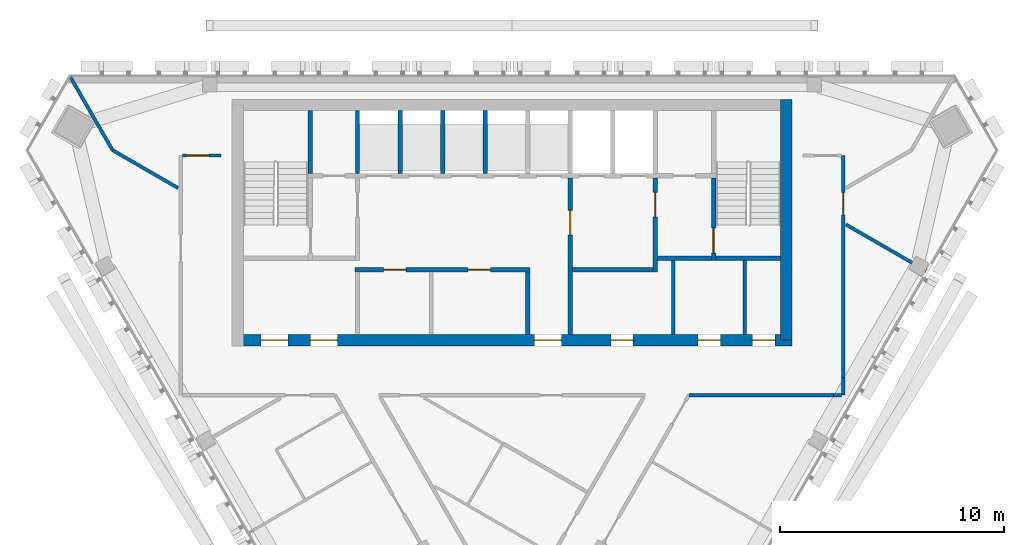
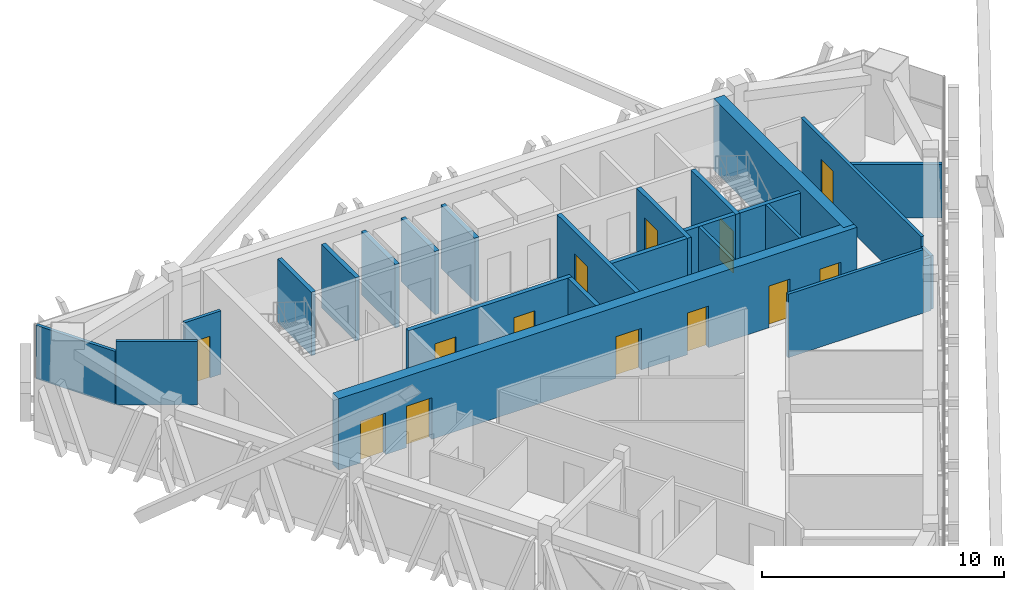
# One storey, part 7 of 12: 25 walls, 13 doors, 13 openings.
"""IFC4 building model written with IfcOpenShell, lengths in metres."""

import ifcopenshell
import ifcopenshell.guid

model = None  # the IFC model being written
_history = None  # IfcOwnerHistory: only IFC2X3 demands one
_inside = {}  # id of a spatial element -> (the spatial element, [elements in it])
_under = {}  # id of a project, library or spatial element -> (it, [spatial elements below it])
_declared = {}  # id of a project -> (the project, [libraries it declares])
_typed = {}  # id of a type object -> (the type object, [elements of that type])
_made_of = {}  # id of a material, layer set ... -> (it, [elements and type objects made of it])


def new_model(schema):
    """Start an empty IFC model of exactly this schema.

    Asked for "IFC4X3", IfcOpenShell would pick the latest addendum, in which some entities
    have other attributes; the version numbers below select the first issue.
    IFC2X3 requires an IfcOwnerHistory on every rooted entity: one is made here for all.
    """
    global model, _history
    if schema == "IFC4X3":
        model = ifcopenshell.file(schema_version=(4, 3, 0, 0))
    else:
        model = ifcopenshell.file(schema=schema)
    _inside.clear()
    _under.clear()
    _declared.clear()
    _typed.clear()
    _made_of.clear()
    _history = None
    if model.schema == "IFC2X3":
        org = make("IfcOrganization", Name="unknown")
        user = make(
            "IfcPersonAndOrganization",
            ThePerson=make("IfcPerson", FamilyName="unknown"),
            TheOrganization=org,
        )
        app = make(
            "IfcApplication",
            ApplicationDeveloper=org,
            Version="unknown",
            ApplicationFullName="unknown",
            ApplicationIdentifier="unknown",
        )
        _history = make(
            "IfcOwnerHistory",
            OwningUser=user,
            OwningApplication=app,
            ChangeAction="ADDED",
            CreationDate=0,
        )
    return model


def make(cls, **values):
    """One entity of the class cls with the attributes given. An attribute that is None is left unset."""
    return model.create_entity(
        cls, **{name: value for name, value in values.items() if value is not None}
    )


def rooted(cls, **values):
    """An entity with a GlobalId (a new one), such as an element, a storey or a relation."""
    return make(cls, GlobalId=ifcopenshell.guid.new(), OwnerHistory=_history, **values)


def si_unit(unit_type, name, prefix=None):
    """IfcSIUnit, for example si_unit("LENGTHUNIT", "METRE", prefix="MILLI")."""
    return make("IfcSIUnit", UnitType=unit_type, Prefix=prefix, Name=name)


def assignment(units):
    """IfcUnitAssignment: the units of a project."""
    return None if units is None else make("IfcUnitAssignment", Units=units)


def point(xyz):
    """IfcCartesianPoint."""
    return None if xyz is None else make("IfcCartesianPoint", Coordinates=xyz)


def direction(xyz):
    """IfcDirection."""
    return None if xyz is None else make("IfcDirection", DirectionRatios=xyz)


def frame(location, z_axis=None, x_axis=None):
    """IfcAxis2Placement3D, a coordinate frame: its origin and axes. An axis left out is left unset."""
    return make(
        "IfcAxis2Placement3D",
        Location=point(location),
        Axis=direction(z_axis),
        RefDirection=direction(x_axis),
    )


def frame_2d(location, x_axis=None):
    """IfcAxis2Placement2D, a coordinate frame in the plane: its origin and x axis."""
    return make(
        "IfcAxis2Placement2D", Location=point(location), RefDirection=direction(x_axis)
    )


def origin():
    """The frame at (0, 0, 0) with its axes left unset."""
    return frame((0.0, 0.0, 0.0))


def place(relative_to, where):
    """IfcLocalPlacement: puts the frame where relative to a parent placement (None: the world)."""
    return make(
        "IfcLocalPlacement", PlacementRelTo=relative_to, RelativePlacement=where
    )


def context(
    kind, dimensions, precision=None, world=None, true_north=None, identifier=None
):
    """IfcGeometricRepresentationContext, for example the 3D "Model" context."""
    return make(
        "IfcGeometricRepresentationContext",
        ContextIdentifier=identifier,
        ContextType=kind,
        CoordinateSpaceDimension=dimensions,
        Precision=precision,
        WorldCoordinateSystem=world,
        TrueNorth=true_north,
    )


def subcontext(parent, identifier, kind, view, scale=None):
    """IfcGeometricRepresentationSubContext, for example "Body" below "Model"."""
    return make(
        "IfcGeometricRepresentationSubContext",
        ContextIdentifier=identifier,
        ContextType=kind,
        ParentContext=parent,
        TargetScale=scale,
        TargetView=view,
    )


def project(units=None, contexts=None):
    """IfcProject with its units and contexts."""
    return rooted(
        "IfcProject",
        Name="project",
        RepresentationContexts=contexts,
        UnitsInContext=assignment(units),
    )


def spatial(cls, under=None, at=None, **own):
    """A site, building, storey or space (cls), placed at a placement, below another one or the project."""
    s = rooted(cls, ObjectPlacement=at, **own)
    if under is not None:
        _under.setdefault(under.id(), (under, []))[1].append(s)
    return s


def profile(cls, at=None, kind="AREA", **sizes):
    """A parametric profile (cls). Its sizes go by their IFC names, for example OverallWidth=200.0."""
    return make(cls, ProfileType=kind, Position=at, **sizes)


def rectangle(**sizes):
    """IfcRectangleProfileDef."""
    return profile("IfcRectangleProfileDef", **sizes)


def extrude(swept, where, along, depth):
    """IfcExtrudedAreaSolid: the profile swept, set in the frame where, extruded along a direction by depth."""
    return make(
        "IfcExtrudedAreaSolid",
        SweptArea=swept,
        Position=where,
        ExtrudedDirection=direction(along),
        Depth=depth,
    )


def shape(context_of_items, identifier, shape_type, items):
    """IfcShapeRepresentation: the items that make up one representation, for example the "Body"."""
    return make(
        "IfcShapeRepresentation",
        ContextOfItems=context_of_items,
        RepresentationIdentifier=identifier,
        RepresentationType=shape_type,
        Items=items,
    )


def material(Name=None, Category=None):
    """IfcMaterial."""
    return make("IfcMaterial", Name=Name, Category=Category)


def layer(
    of_material, thickness, ventilated=None, Name=None, Category=None, Priority=None
):
    """IfcMaterialLayer: one layer of a wall or slab, of a material (None: an air gap)."""
    return make(
        "IfcMaterialLayer",
        Material=of_material,
        LayerThickness=thickness,
        IsVentilated=ventilated,
        Name=Name,
        Category=Category,
        Priority=Priority,
    )


def layer_set(layers, Name=None):
    """IfcMaterialLayerSet."""
    return make("IfcMaterialLayerSet", MaterialLayers=layers, LayerSetName=Name)


def made_of(thing, what):
    """Note that an element or type object is made of a material, layer set ...; save() writes the relation."""
    if what is not None:
        _made_of.setdefault(what.id(), (what, []))[1].append(thing)
    return thing


def type_object(cls, material=None, **own):
    """A type object (cls), such as IfcWallType, which elements share."""
    return made_of(rooted(cls, **own), material)


def element(
    cls,
    number,
    at=None,
    inside=None,
    cuts=None,
    type_object=None,
    material=None,
    context=None,
    identifier="Body",
    shape_type=None,
    held_by="IfcProductDefinitionShape",
    body=None,
    shapes=None,
    **own,
):
    """One element of the class cls, such as IfcWall. Its Tag is "e" and its number.

    at: its placement. inside: the storey or other place that contains it. cuts: it is an
    opening in that element (IfcRelVoidsElement). A single representation is given by context,
    identifier, shape_type and body (its items); several are given by shapes. held_by: the class
    of the entity that holds the representations. save() writes the other relations.
    """
    e = rooted(cls, Tag="e%d" % number, ObjectPlacement=at, **own)
    if body is not None:
        shapes = [shape(context, identifier, shape_type, body)]
    if shapes is not None:
        e.Representation = make(held_by, Representations=shapes)
    if inside is not None:
        _inside.setdefault(inside.id(), (inside, []))[1].append(e)
    if cuts is not None:
        rooted(
            "IfcRelVoidsElement", RelatingBuildingElement=cuts, RelatedOpeningElement=e
        )
    if type_object is not None:
        _typed.setdefault(type_object.id(), (type_object, []))[1].append(e)
    return made_of(e, material)


def fill(opening, filler):
    """IfcRelFillsElement: the door or window that sits in an opening."""
    return rooted(
        "IfcRelFillsElement",
        RelatingOpeningElement=opening,
        RelatedBuildingElement=filler,
    )


def aggregate(whole, parts):
    """IfcRelAggregates: a whole, such as a stair, and the parts it consists of."""
    return rooted("IfcRelAggregates", RelatingObject=whole, RelatedObjects=parts)


def save(model, path):
    """Write the relations noted so far, then the file.

    IfcRelAggregates (storeys below a building ...), IfcRelContainedInSpatialStructure (elements
    in a storey), IfcRelDefinesByType, IfcRelAssociatesMaterial and IfcRelDeclares: one each for
    every whole, place, type object, material and project.
    """
    for whole, parts in _under.values():
        aggregate(whole, parts)
    for where, things in _inside.values():
        rooted(
            "IfcRelContainedInSpatialStructure",
            RelatedElements=things,
            RelatingStructure=where,
        )
    for kind, things in _typed.values():
        rooted("IfcRelDefinesByType", RelatedObjects=things, RelatingType=kind)
    for what, things in _made_of.values():
        rooted("IfcRelAssociatesMaterial", RelatedObjects=things, RelatingMaterial=what)
    for by, libraries in _declared.values():
        rooted("IfcRelDeclares", RelatingContext=by, RelatedDefinitions=libraries)
    model.write(path)


model = new_model("IFC4")

# Units and contexts
model_context = context("Model", 3, precision=1e-05, world=origin(), true_north=direction((0.0, 1.0)))
body_context = subcontext(model_context, "Body", "Model", "MODEL_VIEW")
ifc_project = project(units=[si_unit("LENGTHUNIT", "METRE"), si_unit("AREAUNIT", "SQUARE_METRE"), si_unit("VOLUMEUNIT", "CUBIC_METRE"), si_unit("PLANEANGLEUNIT", "RADIAN"), si_unit("MASSUNIT", "GRAM", prefix="KILO")], contexts=[model_context])

# Site, building, storey
site_placement = place(None, origin())
site = spatial("IfcSite", under=ifc_project, at=site_placement, CompositionType="ELEMENT")
building_placement = place(site_placement, origin())
building = spatial("IfcBuilding", under=site, at=building_placement, Name="Altiplano Prism Tower", CompositionType="ELEMENT")
storey_placement = place(building_placement, frame((0.0, 0.0, 313.0)))
storey = spatial("IfcBuildingStorey", under=building, at=storey_placement, Name="L81", CompositionType="ELEMENT", Elevation=313.0)

# Wall, openings, doors
ifc_material_1 = material(Name="Concrete C60/75", Category="concrete")
ifc_layer_1 = layer(ifc_material_1, 0.5)
ifc_layer_set_1 = layer_set([ifc_layer_1], Name="Concrete C60/75")
wall_type_1 = type_object("IfcWallType", Name="Core wall 500", PredefinedType="SHEAR", material=ifc_layer_set_1)
wall_1_placement = place(storey_placement, frame((72.75, 93.14990234375, 0.0), z_axis=(0.0, 0.0, 1.0), x_axis=(1.0, 0.0, 0.0)))
wall_1 = element("IfcWall", 1, at=wall_1_placement, inside=storey, type_object=wall_type_1, Name="Core wall S L81", PredefinedType="SHEAR", context=body_context, shape_type="SweptSolid", body=[
    extrude(rectangle(XDim=24.75, YDim=0.5, at=frame_2d((12.375, 0.0))), origin(), (0.0, 0.0, 1.0), 3.60009765625),
])
opening_1_placement = place(wall_1_placement, frame((1.050048828125, 0.0, 0.0)))
opening_1 = element("IfcOpeningElement", 2, at=opening_1_placement, cuts=wall_1, Name="Opening D3728", PredefinedType="OPENING", context=body_context, shape_type="SweptSolid", body=[
    extrude(rectangle(XDim=1.199951171875, YDim=2.10009765625, at=frame_2d((0.60009765625, 1.050048828125))), frame((0.0, 0.260498046875, 0.0), z_axis=(0.0, -1.0, 0.0), x_axis=(1.0, 0.0, 0.0)), (0.0, 0.0, 1.0), 0.52099609375),
])
opening_2_placement = place(wall_1_placement, frame((3.25, 0.0, 0.0)))
opening_2 = element("IfcOpeningElement", 3, at=opening_2_placement, cuts=wall_1, Name="Opening D3729", PredefinedType="OPENING", context=body_context, shape_type="SweptSolid", body=[
    extrude(rectangle(XDim=1.199951171875, YDim=2.10009765625, at=frame_2d((0.60009765625, 1.050048828125))), frame((0.0, 0.260498046875, 0.0), z_axis=(0.0, -1.0, 0.0), x_axis=(1.0, 0.0, 0.0)), (0.0, 0.0, 1.0), 0.52099609375),
])
opening_3_placement = place(wall_1_placement, frame((13.25, 0.0, 0.0)))
opening_3 = element("IfcOpeningElement", 4, at=opening_3_placement, cuts=wall_1, Name="Opening D3730", PredefinedType="OPENING", context=body_context, shape_type="SweptSolid", body=[
    extrude(rectangle(XDim=1.199951171875, YDim=2.10009765625, at=frame_2d((0.60009765625, 1.050048828125))), frame((0.0, 0.260498046875, 0.0), z_axis=(0.0, -1.0, 0.0), x_axis=(1.0, 0.0, 0.0)), (0.0, 0.0, 1.0), 0.52099609375),
])
opening_4_placement = place(wall_1_placement, frame((16.66259765625, 0.0, 0.0)))
opening_4 = element("IfcOpeningElement", 5, at=opening_4_placement, cuts=wall_1, Name="Opening D3733", PredefinedType="OPENING", context=body_context, shape_type="SweptSolid", body=[
    extrude(rectangle(XDim=1.0, YDim=2.10009765625, at=frame_2d((0.5, 1.050048828125))), frame((0.0, 0.260498046875, 0.0), z_axis=(0.0, -1.0, 0.0), x_axis=(1.0, 0.0, 0.0)), (0.0, 0.0, 1.0), 0.52099609375),
])
opening_5_placement = place(wall_1_placement, frame((20.550048828125, 0.0, 0.0)))
opening_5 = element("IfcOpeningElement", 6, at=opening_5_placement, cuts=wall_1, Name="Opening D3734", PredefinedType="OPENING", context=body_context, shape_type="SweptSolid", body=[
    extrude(rectangle(XDim=1.0, YDim=2.10009765625, at=frame_2d((0.5, 1.050048828125))), frame((0.0, 0.260498046875, 0.0), z_axis=(0.0, -1.0, 0.0), x_axis=(1.0, 0.0, 0.0)), (0.0, 0.0, 1.0), 0.52099609375),
])
opening_6_placement = place(wall_1_placement, frame((22.987548828125, 0.0, 0.0)))
opening_6 = element("IfcOpeningElement", 7, at=opening_6_placement, cuts=wall_1, Name="Opening D3735", PredefinedType="OPENING", context=body_context, shape_type="SweptSolid", body=[
    extrude(rectangle(XDim=1.0, YDim=2.10009765625, at=frame_2d((0.5, 1.050048828125))), frame((0.0, 0.260498046875, 0.0), z_axis=(0.0, -1.0, 0.0), x_axis=(1.0, 0.0, 0.0)), (0.0, 0.0, 1.0), 0.52099609375),
])
ifc_material_2 = material(Name="Fire-rated steel door", Category="steel")
door_type_1 = type_object("IfcDoorType", Name="Core room door 1000 x 2100", OperationType="NOTDEFINED", PredefinedType="NOTDEFINED", material=ifc_material_2)
door_1_placement = place(opening_4_placement, origin())
door_1 = element("IfcDoor", 8, at=door_1_placement, inside=storey, type_object=door_type_1, Name="Core room door D3733", OperationType="SINGLE_SWING_RIGHT", OverallHeight=2.10009765625, OverallWidth=1.0, PredefinedType="NOTDEFINED", context=body_context, shape_type="SweptSolid", body=[
    extrude(rectangle(XDim=1.0, YDim=2.10009765625, at=frame_2d((0.5, 1.050048828125))), frame((0.0, 0.02490234375, 0.0), z_axis=(0.0, -1.0, 0.0), x_axis=(1.0, 0.0, 0.0)), (0.0, 0.0, 1.0), 0.050048828125),
])
fill(opening_4, door_1)
door_2_placement = place(opening_5_placement, origin())
door_2 = element("IfcDoor", 9, at=door_2_placement, inside=storey, type_object=door_type_1, Name="Core room door D3734", OperationType="SINGLE_SWING_LEFT", OverallHeight=2.10009765625, OverallWidth=1.0, PredefinedType="NOTDEFINED", context=body_context, shape_type="SweptSolid", body=[
    extrude(rectangle(XDim=1.0, YDim=2.10009765625, at=frame_2d((0.5, 1.050048828125))), frame((0.0, 0.02490234375, 0.0), z_axis=(0.0, -1.0, 0.0), x_axis=(1.0, 0.0, 0.0)), (0.0, 0.0, 1.0), 0.050048828125),
])
fill(opening_5, door_2)
door_3_placement = place(opening_6_placement, origin())
door_3 = element("IfcDoor", 10, at=door_3_placement, inside=storey, type_object=door_type_1, Name="Core room door D3735", OperationType="SINGLE_SWING_RIGHT", OverallHeight=2.10009765625, OverallWidth=1.0, PredefinedType="NOTDEFINED", context=body_context, shape_type="SweptSolid", body=[
    extrude(rectangle(XDim=1.0, YDim=2.10009765625, at=frame_2d((0.5, 1.050048828125))), frame((0.0, 0.02490234375, 0.0), z_axis=(0.0, -1.0, 0.0), x_axis=(1.0, 0.0, 0.0)), (0.0, 0.0, 1.0), 0.050048828125),
])
fill(opening_6, door_3)
door_type_2 = type_object("IfcDoorType", Name="Lobby fire door 1200 x 2100", OperationType="NOTDEFINED", PredefinedType="NOTDEFINED", material=ifc_material_2)
door_4_placement = place(opening_1_placement, origin())
door_4 = element("IfcDoor", 11, at=door_4_placement, inside=storey, type_object=door_type_2, Name="Lobby fire door D3728", OperationType="SINGLE_SWING_RIGHT", OverallHeight=2.10009765625, OverallWidth=1.199951171875, PredefinedType="NOTDEFINED", context=body_context, shape_type="SweptSolid", body=[
    extrude(rectangle(XDim=1.199951171875, YDim=2.10009765625, at=frame_2d((0.60009765625, 1.050048828125))), frame((0.0, 0.02490234375, 0.0), z_axis=(0.0, -1.0, 0.0), x_axis=(1.0, 0.0, 0.0)), (0.0, 0.0, 1.0), 0.050048828125),
])
fill(opening_1, door_4)
door_5_placement = place(opening_2_placement, origin())
door_5 = element("IfcDoor", 12, at=door_5_placement, inside=storey, type_object=door_type_2, Name="Lobby fire door D3729", OperationType="SINGLE_SWING_LEFT", OverallHeight=2.10009765625, OverallWidth=1.199951171875, PredefinedType="NOTDEFINED", context=body_context, shape_type="SweptSolid", body=[
    extrude(rectangle(XDim=1.199951171875, YDim=2.10009765625, at=frame_2d((0.60009765625, 1.050048828125))), frame((0.0, 0.02490234375, 0.0), z_axis=(0.0, -1.0, 0.0), x_axis=(1.0, 0.0, 0.0)), (0.0, 0.0, 1.0), 0.050048828125),
])
fill(opening_2, door_5)
door_6_placement = place(opening_3_placement, origin())
door_6 = element("IfcDoor", 13, at=door_6_placement, inside=storey, type_object=door_type_2, Name="Lobby fire door D3730", OperationType="SINGLE_SWING_RIGHT", OverallHeight=2.10009765625, OverallWidth=1.199951171875, PredefinedType="NOTDEFINED", context=body_context, shape_type="SweptSolid", body=[
    extrude(rectangle(XDim=1.199951171875, YDim=2.10009765625, at=frame_2d((0.60009765625, 1.050048828125))), frame((0.0, 0.02490234375, 0.0), z_axis=(0.0, -1.0, 0.0), x_axis=(1.0, 0.0, 0.0)), (0.0, 0.0, 1.0), 0.050048828125),
])
fill(opening_3, door_6)

# Walls
wall_2_placement = place(storey_placement, frame((97.25, 93.14990234375, 0.0), z_axis=(0.0, 0.0, 1.0), x_axis=(0.0, 1.0, 0.0)))
element("IfcWall", 14, at=wall_2_placement, inside=storey, type_object=wall_type_1, Name="Core wall E L81", PredefinedType="SHEAR", context=body_context, shape_type="SweptSolid", body=[
    extrude(rectangle(XDim=10.75, YDim=0.5, at=frame_2d((5.375, 0.0))), origin(), (0.0, 0.0, 1.0), 3.60009765625),
])
ifc_material_3 = material(Name="Plasterboard on steel stud", Category="steel")
ifc_layer_2 = layer(ifc_material_3, 0.14990234375)
ifc_layer_set_2 = layer_set([ifc_layer_2], Name="Plasterboard on steel stud")
wall_type_2 = type_object("IfcWallType", Name="Partition 150 corridor", PredefinedType="PARTITIONING", material=ifc_layer_set_2)
wall_3_placement = place(storey_placement, frame((92.90185546875, 90.699951171875, 0.0), z_axis=(0.0, 0.0, 1.0), x_axis=(1.0, 0.0, 0.0)))
element("IfcWall", 15, at=wall_3_placement, inside=storey, type_object=wall_type_2, Name="Partition P06 L81 010", PredefinedType="PARTITIONING", context=body_context, shape_type="SweptSolid", body=[
    extrude(rectangle(XDim=6.45654296875, YDim=0.14990234375, at=frame_2d((3.228271484375, 0.0))), origin(), (0.0, 0.0, 1.0), 3.199951171875),
])
wall_4_placement = place(storey_placement, frame((99.3583984375, 90.699951171875, 0.0), z_axis=(0.0, 0.0, 1.0), x_axis=(1.0, 0.0, 0.0)))
element("IfcWall", 16, at=wall_4_placement, inside=storey, type_object=wall_type_2, Name="Partition P06 L81 011", PredefinedType="PARTITIONING", context=body_context, shape_type="SweptSolid", body=[
    extrude(rectangle(XDim=0.36669921875, YDim=0.14990234375, at=frame_2d((0.183349609375, 0.0))), origin(), (0.0, 0.0, 1.0), 2.699951171875),
])
wall_5_placement = place(storey_placement, frame((99.800048828125, 90.699951171875, 0.0), z_axis=(0.0, 0.0, 1.0), x_axis=(0.0, 1.0, 0.0)))
element("IfcWall", 17, at=wall_5_placement, inside=storey, type_object=wall_type_2, Name="Partition P06 L81 012", PredefinedType="PARTITIONING", context=body_context, shape_type="SweptSolid", body=[
    extrude(rectangle(XDim=0.76513671875, YDim=0.14990234375, at=frame_2d((0.382568359375, 0.0))), origin(), (0.0, 0.0, 1.0), 2.699951171875),
])

# Wall, opening, door
wall_6_placement = place(storey_placement, frame((99.800048828125, 91.465087890625, 0.0), z_axis=(0.0, 0.0, 1.0), x_axis=(4.9143671e-05, 0.999999998792, 0.0)))
wall_6 = element("IfcWall", 18, at=wall_6_placement, inside=storey, type_object=wall_type_2, Name="Partition P06 L81 013", PredefinedType="PARTITIONING", context=body_context, shape_type="SweptSolid", body=[
    extrude(rectangle(XDim=9.935791015625, YDim=0.14990234375, at=frame_2d((4.9677734375, 0.0))), origin(), (0.0, 0.0, 1.0), 3.199951171875),
])
opening_7_placement = place(wall_6_placement, frame((7.278076171875, 0.0, 0.0)))
opening_7 = element("IfcOpeningElement", 19, at=opening_7_placement, cuts=wall_6, Name="Opening D2405", PredefinedType="OPENING", context=body_context, shape_type="SweptSolid", body=[
    extrude(rectangle(XDim=1.0, YDim=2.10009765625, at=frame_2d((0.5, 1.050048828125))), frame((0.0, 0.08544921875, 0.0), z_axis=(0.0, -1.0, 0.0), x_axis=(1.0, 0.0, 0.0)), (0.0, 0.0, 1.0), 0.1708984375),
])
ifc_material_4 = material(Name="Timber", Category="wood")
door_type_3 = type_object("IfcDoorType", Name="Room door 1000 x 2100", OperationType="NOTDEFINED", PredefinedType="NOTDEFINED", material=ifc_material_4)
door_7_placement = place(opening_7_placement, origin())
door_7 = element("IfcDoor", 20, at=door_7_placement, inside=storey, type_object=door_type_3, Name="Door D2405", OperationType="SINGLE_SWING_LEFT", OverallHeight=2.10009765625, OverallWidth=1.0, PredefinedType="NOTDEFINED", context=body_context, shape_type="SweptSolid", body=[
    extrude(rectangle(XDim=1.0, YDim=2.10009765625, at=frame_2d((0.5, 1.050048828125))), frame((0.0, 0.02490234375, 0.0), z_axis=(0.0, -1.0, 0.0), x_axis=(1.0, 0.0, 0.0)), (0.0, 0.0, 1.0), 0.050048828125),
])
fill(opening_7, door_7)

wall_7_placement = place(storey_placement, frame((72.0, 101.40087890625, 0.0), z_axis=(0.0, 0.0, 1.0), x_axis=(-1.0, 0.0, 0.0)))
wall_7 = element("IfcWall", 21, at=wall_7_placement, inside=storey, type_object=wall_type_2, Name="Partition P06 L81 015", PredefinedType="PARTITIONING", context=body_context, shape_type="SweptSolid", body=[
    extrude(rectangle(XDim=1.7255859375, YDim=0.14990234375, at=frame_2d((0.86279296875, 0.0))), origin(), (0.0, 0.0, 1.0), 3.199951171875),
])
opening_8_placement = place(wall_7_placement, frame((0.52587890625, 0.0, 0.0)))
opening_8 = element("IfcOpeningElement", 22, at=opening_8_placement, cuts=wall_7, Name="Opening D2407", PredefinedType="OPENING", context=body_context, shape_type="SweptSolid", body=[
    extrude(rectangle(XDim=1.0, YDim=2.10009765625, at=frame_2d((0.5, 1.050048828125))), frame((0.0, 0.08544921875, 0.0), z_axis=(0.0, -1.0, 0.0), x_axis=(1.0, 0.0, 0.0)), (0.0, 0.0, 1.0), 0.1708984375),
])
door_type_4 = type_object("IfcDoorType", Name="Store door 1000 x 2100", OperationType="NOTDEFINED", PredefinedType="NOTDEFINED", material=ifc_material_4)
door_8_placement = place(opening_8_placement, origin())
door_8 = element("IfcDoor", 23, at=door_8_placement, inside=storey, type_object=door_type_4, Name="Door D2407", OperationType="SINGLE_SWING_LEFT", OverallHeight=2.10009765625, OverallWidth=1.0, PredefinedType="NOTDEFINED", context=body_context, shape_type="SweptSolid", body=[
    extrude(rectangle(XDim=1.0, YDim=2.10009765625, at=frame_2d((0.5, 1.050048828125))), frame((0.0, 0.02490234375, 0.0), z_axis=(0.0, -1.0, 0.0), x_axis=(1.0, 0.0, 0.0)), (0.0, 0.0, 1.0), 0.050048828125),
])
fill(opening_8, door_8)

# Walls
ifc_layer_3 = layer(ifc_material_3, 0.14990234375)
ifc_layer_set_3 = layer_set([ifc_layer_3], Name="Plasterboard on steel stud")
wall_type_3 = type_object("IfcWallType", Name="Partition 150 party", PredefinedType="PARTITIONING", material=ifc_layer_set_3)
wall_8_placement = place(storey_placement, frame((70.0869140625, 99.94775390625, 0.0), z_axis=(0.0, 0.0, 1.0), x_axis=(-0.866026575979, 0.499997969693, 0.0)))
element("IfcWall", 24, at=wall_8_placement, inside=storey, type_object=wall_type_3, Name="Partition P01 L81 021", PredefinedType="PARTITIONING", context=body_context, shape_type="SweptSolid", body=[
    extrude(rectangle(XDim=3.375, YDim=0.14990234375, at=frame_2d((1.6875, 0.0))), origin(), (0.0, 0.0, 1.0), 3.199951171875),
])
wall_9_placement = place(storey_placement, frame((67.1640625, 101.63525390625, 0.0), z_axis=(0.0, 0.0, 1.0), x_axis=(-0.499984077514, 0.866034596441, 0.0)))
element("IfcWall", 25, at=wall_9_placement, inside=storey, type_object=wall_type_3, Name="Partition P01 L81 022", PredefinedType="PARTITIONING", context=body_context, shape_type="SweptSolid", body=[
    extrude(rectangle(XDim=3.76953125, YDim=0.14990234375, at=frame_2d((1.884765625, 0.0))), origin(), (0.0, 0.0, 1.0), 2.699951171875),
])
wall_10_placement = place(storey_placement, frame((103.4951171875, 96.248046875, 0.0), z_axis=(0.0, 0.0, 1.0), x_axis=(-0.866037172765, 0.499979614973, 0.0)))
element("IfcWall", 26, at=wall_10_placement, inside=storey, type_object=wall_type_3, Name="Partition P01 L81 034", PredefinedType="PARTITIONING", context=body_context, shape_type="SweptSolid", body=[
    extrude(rectangle(XDim=4.136474609375, YDim=0.14990234375, at=frame_2d((2.068359375, 0.0))), origin(), (0.0, 0.0, 1.0), 2.699951171875),
])
ifc_material_5 = material(Name="Fire-rated gypsum board partition")
ifc_layer_4 = layer(ifc_material_5, 0.14990234375)
ifc_layer_set_4 = layer_set([ifc_layer_4], Name="Fire-rated gypsum board partition")
wall_type_4 = type_object("IfcWallType", Name="Room partition 150", PredefinedType="PARTITIONING", material=ifc_layer_set_4)
for number, where, z_axis, x_axis, name in (
    (27, (92.199951171875, 93.39990234375, 0.0), (0.0, 0.0, 1.0), (0.0, 1.0, 0.0), "Room partition L81"),
    (28, (95.39990234375, 93.39990234375, 0.0), (0.0, 0.0, 1.0), (0.0, 1.0, 0.0), "Room partition L81"),
):
    element("IfcWall", number, at=place(storey_placement, frame(where, z_axis=z_axis, x_axis=x_axis)), inside=storey, type_object=wall_type_4, Name=name, PredefinedType="PARTITIONING", context=body_context, shape_type="SweptSolid", body=[
        extrude(rectangle(XDim=3.300048828125, YDim=0.14990234375, at=frame_2d((1.64990234375, 0.0))), origin(), (0.0, 0.0, 1.0), 3.199951171875),
    ])
ifc_layer_5 = layer(ifc_material_1, 0.199951171875)
ifc_layer_set_5 = layer_set([ifc_layer_5], Name="Concrete C60/75")
wall_type_5 = type_object("IfcWallType", Name="Shaft wall 200", PredefinedType="SOLIDWALL", material=ifc_layer_set_5)
for number, where, z_axis, x_axis, name in (
    (29, (78.10009765625, 100.60009765625, 0.0), (0.0, 0.0, 1.0), (0.0, 1.0, 0.0), "Shaft wall L81"),
    (30, (80.0, 100.60009765625, 0.0), (0.0, 0.0, 1.0), (0.0, 1.0, 0.0), "Shaft wall L81"),
    (31, (81.89990234375, 100.60009765625, 0.0), (0.0, 0.0, 1.0), (0.0, 1.0, 0.0), "Shaft wall L81"),
    (32, (83.800048828125, 100.60009765625, 0.0), (0.0, 0.0, 1.0), (0.0, 1.0, 0.0), "Shaft wall L81"),
):
    element("IfcWall", number, at=place(storey_placement, frame(where, z_axis=z_axis, x_axis=x_axis)), inside=storey, type_object=wall_type_5, Name=name, PredefinedType="SOLIDWALL", context=body_context, shape_type="SweptSolid", body=[
        extrude(rectangle(XDim=2.7998046875, YDim=0.199951171875, at=frame_2d((1.39990234375, 0.0))), origin(), (0.0, 0.0, 1.0), 3.199951171875),
    ])

# Wall, opening, door
ifc_layer_6 = layer(ifc_material_1, 0.199951171875)
ifc_layer_set_6 = layer_set([ifc_layer_6], Name="Concrete C60/75")
wall_type_6 = type_object("IfcWallType", Name="Stair wall 200", PredefinedType="SOLIDWALL", material=ifc_layer_set_6)
wall_11_placement = place(storey_placement, frame((94.0, 96.699951171875, 0.0), z_axis=(0.0, 0.0, 1.0), x_axis=(0.0, 1.0, 0.0)))
wall_11 = element("IfcWall", 33, at=wall_11_placement, inside=storey, type_object=wall_type_6, Name="Stair wall L81", PredefinedType="SOLIDWALL", context=body_context, shape_type="SweptSolid", body=[
    extrude(rectangle(XDim=3.699951171875, YDim=0.199951171875, at=frame_2d((1.85009765625, 0.0))), origin(), (0.0, 0.0, 1.0), 3.199951171875),
])
opening_9_placement = place(wall_11_placement, frame((0.35009765625, 0.0, 0.0)))
opening_9 = element("IfcOpeningElement", 34, at=opening_9_placement, cuts=wall_11, Name="Opening D3724", PredefinedType="OPENING", context=body_context, shape_type="SweptSolid", body=[
    extrude(rectangle(XDim=1.10009765625, YDim=2.10009765625, at=frame_2d((0.550048828125, 1.050048828125))), frame((0.0, 0.1103515625, 0.0), z_axis=(0.0, -1.0, 0.0), x_axis=(1.0, 0.0, 0.0)), (0.0, 0.0, 1.0), 0.220947265625),
])
door_type_5 = type_object("IfcDoorType", Name="Stair fire door 1100 x 2100", OperationType="NOTDEFINED", PredefinedType="NOTDEFINED", material=ifc_material_2)
door_9_placement = place(opening_9_placement, origin())
door_9 = element("IfcDoor", 35, at=door_9_placement, inside=storey, type_object=door_type_5, Name="Stair fire door D3724", OperationType="SINGLE_SWING_LEFT", OverallHeight=2.10009765625, OverallWidth=1.10009765625, PredefinedType="NOTDEFINED", context=body_context, shape_type="SweptSolid", body=[
    extrude(rectangle(XDim=1.10009765625, YDim=2.10009765625, at=frame_2d((0.550048828125, 1.050048828125))), frame((0.0, 0.02490234375, 0.0), z_axis=(0.0, -1.0, 0.0), x_axis=(1.0, 0.0, 0.0)), (0.0, 0.0, 1.0), 0.050048828125),
])
fill(opening_9, door_9)

# Walls
wall_12_placement = place(storey_placement, frame((94.10009765625, 96.800048828125, 0.0), z_axis=(0.0, 0.0, 1.0), x_axis=(1.0, 0.0, 0.0)))
element("IfcWall", 36, at=wall_12_placement, inside=storey, type_object=wall_type_6, Name="Stair wall L81", PredefinedType="SOLIDWALL", context=body_context, shape_type="SweptSolid", body=[
    extrude(rectangle(XDim=2.89990234375, YDim=0.199951171875, at=frame_2d((1.449951171875, 0.0))), origin(), (0.0, 0.0, 1.0), 3.199951171875),
])
wall_13_placement = place(storey_placement, frame((76.0, 100.60009765625, 0.0), z_axis=(0.0, 0.0, 1.0), x_axis=(0.0, 1.0, 0.0)))
element("IfcWall", 37, at=wall_13_placement, inside=storey, type_object=wall_type_6, Name="Stair wall L81", PredefinedType="SOLIDWALL", context=body_context, shape_type="SweptSolid", body=[
    extrude(rectangle(XDim=2.7998046875, YDim=0.199951171875, at=frame_2d((1.39990234375, 0.0))), origin(), (0.0, 0.0, 1.0), 3.199951171875),
])
ifc_layer_7 = layer(ifc_material_1, 0.199951171875)
ifc_layer_set_7 = layer_set([ifc_layer_7], Name="Concrete C60/75")
wall_type_7 = type_object("IfcWallType", Name="Vestibule wall 200", PredefinedType="PARTITIONING", material=ifc_layer_set_7)
wall_14_placement = place(storey_placement, frame((85.699951171875, 93.39990234375, 0.0), z_axis=(0.0, 0.0, 1.0), x_axis=(0.0, 1.0, 0.0)))
element("IfcWall", 38, at=wall_14_placement, inside=storey, type_object=wall_type_7, Name="Vestibule wall L81", PredefinedType="PARTITIONING", context=body_context, shape_type="SweptSolid", body=[
    extrude(rectangle(XDim=2.800048828125, YDim=0.199951171875, at=frame_2d((1.39990234375, 0.0))), origin(), (0.0, 0.0, 1.0), 3.199951171875),
])

# Wall, opening, door
wall_15_placement = place(storey_placement, frame((87.60009765625, 93.39990234375, 0.0), z_axis=(0.0, 0.0, 1.0), x_axis=(0.0, 1.0, 0.0)))
wall_15 = element("IfcWall", 39, at=wall_15_placement, inside=storey, type_object=wall_type_7, Name="Vestibule wall L81", PredefinedType="PARTITIONING", context=body_context, shape_type="SweptSolid", body=[
    extrude(rectangle(XDim=7.0, YDim=0.199951171875, at=frame_2d((3.5, 0.0))), origin(), (0.0, 0.0, 1.0), 3.199951171875),
])
opening_10_placement = place(wall_15_placement, frame((4.449951171875, 0.0, 0.0)))
opening_10 = element("IfcOpeningElement", 40, at=opening_10_placement, cuts=wall_15, Name="Opening D3726", PredefinedType="OPENING", context=body_context, shape_type="SweptSolid", body=[
    extrude(rectangle(XDim=1.10009765625, YDim=2.10009765625, at=frame_2d((0.550048828125, 1.050048828125))), frame((0.0, 0.1103515625, 0.0), z_axis=(0.0, -1.0, 0.0), x_axis=(1.0, 0.0, 0.0)), (0.0, 0.0, 1.0), 0.220947265625),
])
door_type_6 = type_object("IfcDoorType", Name="Vestibule fire door 1100 x 2100", OperationType="NOTDEFINED", PredefinedType="NOTDEFINED", material=ifc_material_2)
door_10_placement = place(opening_10_placement, origin())
door_10 = element("IfcDoor", 41, at=door_10_placement, inside=storey, type_object=door_type_6, Name="Vestibule fire door D3726", OperationType="SINGLE_SWING_RIGHT", OverallHeight=2.10009765625, OverallWidth=1.10009765625, PredefinedType="NOTDEFINED", context=body_context, shape_type="SweptSolid", body=[
    extrude(rectangle(XDim=1.10009765625, YDim=2.10009765625, at=frame_2d((0.550048828125, 1.050048828125))), frame((0.0, 0.02490234375, 0.0), z_axis=(0.0, -1.0, 0.0), x_axis=(1.0, 0.0, 0.0)), (0.0, 0.0, 1.0), 0.050048828125),
])
fill(opening_10, door_10)

# Wall, openings, doors
wall_16_placement = place(storey_placement, frame((78.0, 96.300048828125, 0.0), z_axis=(0.0, 0.0, 1.0), x_axis=(1.0, 0.0, 0.0)))
wall_16 = element("IfcWall", 42, at=wall_16_placement, inside=storey, type_object=wall_type_7, Name="Vestibule wall L81", PredefinedType="PARTITIONING", context=body_context, shape_type="SweptSolid", body=[
    extrude(rectangle(XDim=7.800048828125, YDim=0.199951171875, at=frame_2d((3.89990234375, 0.0))), origin(), (0.0, 0.0, 1.0), 3.199951171875),
])
opening_11_placement = place(wall_16_placement, frame((1.262451171875, 0.0, 0.0)))
opening_11 = element("IfcOpeningElement", 43, at=opening_11_placement, cuts=wall_16, Name="Opening D3736", PredefinedType="OPENING", context=body_context, shape_type="SweptSolid", body=[
    extrude(rectangle(XDim=1.0, YDim=2.10009765625, at=frame_2d((0.5, 1.050048828125))), frame((0.0, 0.1103515625, 0.0), z_axis=(0.0, -1.0, 0.0), x_axis=(1.0, 0.0, 0.0)), (0.0, 0.0, 1.0), 0.220947265625),
])
opening_12_placement = place(wall_16_placement, frame((5.03759765625, 0.0, 0.0)))
opening_12 = element("IfcOpeningElement", 44, at=opening_12_placement, cuts=wall_16, Name="Opening D3737", PredefinedType="OPENING", context=body_context, shape_type="SweptSolid", body=[
    extrude(rectangle(XDim=1.0, YDim=2.10009765625, at=frame_2d((0.5, 1.050048828125))), frame((0.0, 0.1103515625, 0.0), z_axis=(0.0, -1.0, 0.0), x_axis=(1.0, 0.0, 0.0)), (0.0, 0.0, 1.0), 0.220947265625),
])
door_11_placement = place(opening_11_placement, origin())
door_11 = element("IfcDoor", 45, at=door_11_placement, inside=storey, type_object=door_type_1, Name="Core room door D3736", OperationType="SINGLE_SWING_RIGHT", OverallHeight=2.10009765625, OverallWidth=1.0, PredefinedType="NOTDEFINED", context=body_context, shape_type="SweptSolid", body=[
    extrude(rectangle(XDim=1.0, YDim=2.10009765625, at=frame_2d((0.5, 1.050048828125))), frame((0.0, 0.02490234375, 0.0), z_axis=(0.0, -1.0, 0.0), x_axis=(1.0, 0.0, 0.0)), (0.0, 0.0, 1.0), 0.050048828125),
])
fill(opening_11, door_11)
door_12_placement = place(opening_12_placement, origin())
door_12 = element("IfcDoor", 46, at=door_12_placement, inside=storey, type_object=door_type_1, Name="Core room door D3737", OperationType="SINGLE_SWING_RIGHT", OverallHeight=2.10009765625, OverallWidth=1.0, PredefinedType="NOTDEFINED", context=body_context, shape_type="SweptSolid", body=[
    extrude(rectangle(XDim=1.0, YDim=2.10009765625, at=frame_2d((0.5, 1.050048828125))), frame((0.0, 0.02490234375, 0.0), z_axis=(0.0, -1.0, 0.0), x_axis=(1.0, 0.0, 0.0)), (0.0, 0.0, 1.0), 0.050048828125),
])
fill(opening_12, door_12)

# Wall
wall_17_placement = place(storey_placement, frame((87.699951171875, 96.300048828125, 0.0), z_axis=(0.0, 0.0, 1.0), x_axis=(1.0, 0.0, 0.0)))
element("IfcWall", 47, at=wall_17_placement, inside=storey, type_object=wall_type_7, Name="Vestibule wall L81", PredefinedType="PARTITIONING", context=body_context, shape_type="SweptSolid", body=[
    extrude(rectangle(XDim=3.60009765625, YDim=0.199951171875, at=frame_2d((1.800048828125, 0.0))), origin(), (0.0, 0.0, 1.0), 3.199951171875),
])

# Wall, opening, door
wall_18_placement = place(storey_placement, frame((91.39990234375, 96.199951171875, 0.0), z_axis=(0.0, 0.0, 1.0), x_axis=(0.0, 1.0, 0.0)))
wall_18 = element("IfcWall", 48, at=wall_18_placement, inside=storey, type_object=wall_type_7, Name="Vestibule wall L81", PredefinedType="PARTITIONING", context=body_context, shape_type="SweptSolid", body=[
    extrude(rectangle(XDim=4.199951171875, YDim=0.199951171875, at=frame_2d((2.10009765625, 0.0))), origin(), (0.0, 0.0, 1.0), 3.199951171875),
])
opening_13_placement = place(wall_18_placement, frame((2.449951171875, 0.0, 0.0)))
opening_13 = element("IfcOpeningElement", 49, at=opening_13_placement, cuts=wall_18, Name="Opening D3727", PredefinedType="OPENING", context=body_context, shape_type="SweptSolid", body=[
    extrude(rectangle(XDim=1.10009765625, YDim=2.10009765625, at=frame_2d((0.550048828125, 1.050048828125))), frame((0.0, 0.1103515625, 0.0), z_axis=(0.0, -1.0, 0.0), x_axis=(1.0, 0.0, 0.0)), (0.0, 0.0, 1.0), 0.220947265625),
])
door_13_placement = place(opening_13_placement, origin())
door_13 = element("IfcDoor", 50, at=door_13_placement, inside=storey, type_object=door_type_6, Name="Vestibule fire door D3727", OperationType="SINGLE_SWING_LEFT", OverallHeight=2.10009765625, OverallWidth=1.10009765625, PredefinedType="NOTDEFINED", context=body_context, shape_type="SweptSolid", body=[
    extrude(rectangle(XDim=1.10009765625, YDim=2.10009765625, at=frame_2d((0.550048828125, 1.050048828125))), frame((0.0, 0.02490234375, 0.0), z_axis=(0.0, -1.0, 0.0), x_axis=(1.0, 0.0, 0.0)), (0.0, 0.0, 1.0), 0.050048828125),
])
fill(opening_13, door_13)

# Wall
wall_19_placement = place(storey_placement, frame((91.5, 96.800048828125, 0.0), z_axis=(0.0, 0.0, 1.0), x_axis=(1.0, 0.0, 0.0)))
element("IfcWall", 51, at=wall_19_placement, inside=storey, type_object=wall_type_7, Name="Vestibule wall L81", PredefinedType="PARTITIONING", context=body_context, shape_type="SweptSolid", body=[
    extrude(rectangle(XDim=2.39990234375, YDim=0.199951171875, at=frame_2d((1.199951171875, 0.0))), origin(), (0.0, 0.0, 1.0), 3.199951171875),
])

save(model, "model.ifc")
